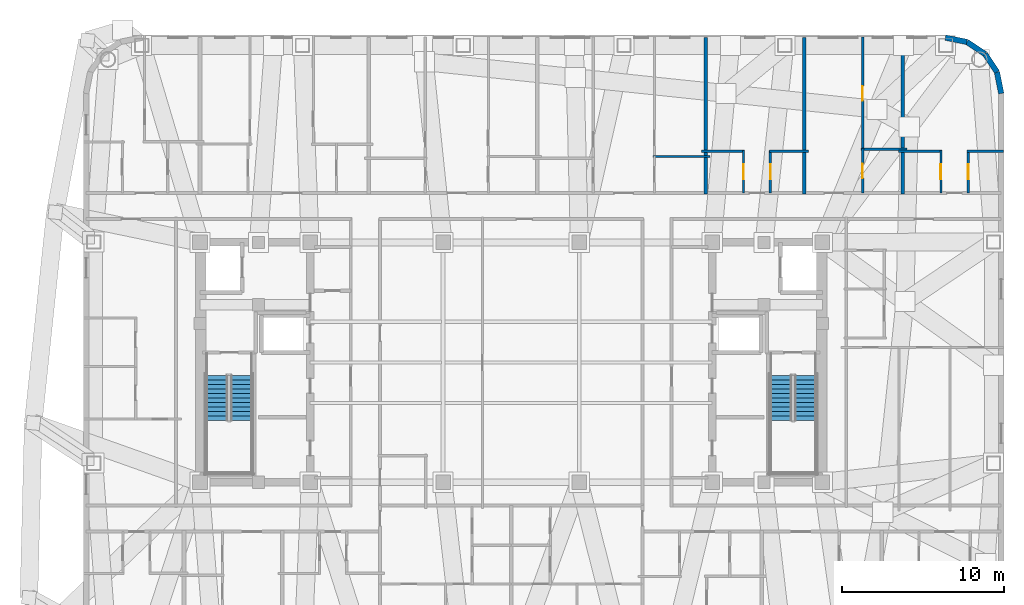
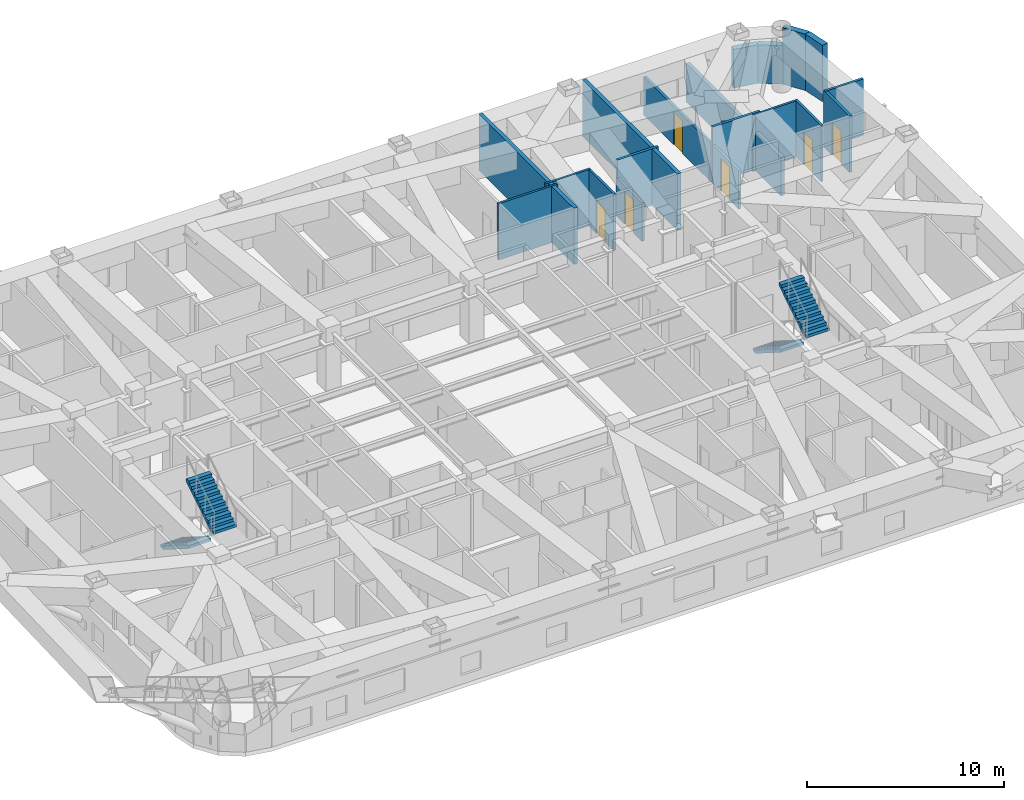
# One storey, part 10 of 12: 19 walls, 6 doors, 4 stair flights, 6 openings, 2 elements without a shape of their own.
"""IFC4 building model written with IfcOpenShell, lengths in metres."""

from ifc_helpers import new_model, si_unit, direction, frame, frame_2d, origin, place, context, subcontext, project, spatial, polyline, rectangle, outline, extrude, material, layer, layer_set, type_object, element, fill, aggregate, save


model = new_model("IFC4")

# Units and contexts
model_context = context("Model", 3, precision=1e-05, world=origin(), true_north=direction((0.0, 1.0)))
body_context = subcontext(model_context, "Body", "Model", "MODEL_VIEW")
ifc_project = project(units=[si_unit("LENGTHUNIT", "METRE"), si_unit("AREAUNIT", "SQUARE_METRE"), si_unit("VOLUMEUNIT", "CUBIC_METRE"), si_unit("PLANEANGLEUNIT", "RADIAN"), si_unit("MASSUNIT", "GRAM", prefix="KILO")], contexts=[model_context])

# Site, building, storey
site_placement = place(None, origin())
site = spatial("IfcSite", under=ifc_project, at=site_placement, CompositionType="ELEMENT")
building_placement = place(site_placement, origin())
building = spatial("IfcBuilding", under=site, at=building_placement, Name="Voryun Gate Residences", CompositionType="ELEMENT")
storey_placement = place(building_placement, frame((0.0, 0.0, 250.89990234375)))
storey = spatial("IfcBuildingStorey", under=building, at=storey_placement, Name="L62", CompositionType="ELEMENT", Elevation=250.89990234375)

# Walls
ifc_material_1 = material(Name="Charcoal terracotta masonry", Category="masonry")
ifc_layer_1 = layer(ifc_material_1, 0.340087890625, Name="W_EXT_TERRACOTTA_340")
ifc_layer_set_1 = layer_set([ifc_layer_1], Name="Charcoal terracotta masonry")
wall_type_1 = type_object("IfcWallType", Name="W_EXT_TERRACOTTA_340", PredefinedType="ELEMENTEDWALL", material=ifc_layer_set_1)
wall_1_placement = place(storey_placement, frame((26.783203125, 20.030029296875, 0.0), z_axis=(0.0, 0.0, 1.0), x_axis=(0.980788153188, -0.195075878998, 0.0)))
element("IfcWall", 1, at=wall_1_placement, inside=storey, type_object=wall_type_1, Name="Exterior wall WEXT-L62-12", PredefinedType="ELEMENTEDWALL", context=body_context, shape_type="SweptSolid", body=[
    extrude(rectangle(XDim=1.354248046875, YDim=0.340087890625, at=frame_2d((0.67724609375, 0.0))), origin(), (0.0, 0.0, 1.0), 2.39013671875),
])
wall_2_placement = place(storey_placement, frame((28.111328125, 19.765869140625, 0.0), z_axis=(0.0, 0.0, 1.0), x_axis=(0.831403586725, -0.555669034571, 0.0)))
element("IfcWall", 2, at=wall_2_placement, inside=storey, type_object=wall_type_1, Name="Exterior wall WEXT-L62-13", PredefinedType="ELEMENTEDWALL", context=body_context, shape_type="SweptSolid", body=[
    extrude(rectangle(XDim=1.3369140625, YDim=0.340087890625, at=frame_2d((0.66845703125, 0.0))), origin(), (0.0, 0.0, 1.0), 2.39013671875),
])
wall_3_placement = place(storey_placement, frame((29.222900390625, 19.02294921875, 0.0), z_axis=(0.0, 0.0, 1.0), x_axis=(0.555669034571, -0.831403586725, 0.0)))
element("IfcWall", 3, at=wall_3_placement, inside=storey, type_object=wall_type_1, Name="Exterior wall WEXT-L62-14", PredefinedType="ELEMENTEDWALL", context=body_context, shape_type="SweptSolid", body=[
    extrude(rectangle(XDim=1.3369140625, YDim=0.340087890625, at=frame_2d((0.66845703125, 0.0))), origin(), (0.0, 0.0, 1.0), 3.5),
])
wall_4_placement = place(storey_placement, frame((29.9658203125, 17.911376953125, 0.0), z_axis=(0.0, 0.0, 1.0), x_axis=(0.195075878998, -0.980788153188, 0.0)))
element("IfcWall", 4, at=wall_4_placement, inside=storey, type_object=wall_type_1, Name="Exterior wall WEXT-L62-15", PredefinedType="ELEMENTEDWALL", context=body_context, shape_type="SweptSolid", body=[
    extrude(rectangle(XDim=1.354248046875, YDim=0.340087890625, at=frame_2d((0.67724609375, 0.0))), origin(), (0.0, 0.0, 1.0), 3.5),
])
ifc_material_2 = material(Name="Concrete C40/50", Category="concrete")
ifc_layer_2 = layer(ifc_material_2, 0.219970703125, Name="W_PARTY_ACOUSTIC_220")
ifc_layer_set_2 = layer_set([ifc_layer_2], Name="Concrete C40/50")
wall_type_2 = type_object("IfcWallType", Name="W_PARTY_ACOUSTIC_220", PredefinedType="PARTITIONING", material=ifc_layer_set_2)
for number, where, z_axis, x_axis, name in (
    (5, (12.0, 10.3701171875, 0.0), (0.0, 0.0, 1.0), (0.0, 1.0, 0.0), "Partition wall WP-L62-NPTY-4"),
    (6, (18.0791015625, 10.3701171875, 0.0), (0.0, 0.0, 1.0), (0.0, 1.0, 0.0), "Partition wall WP-L62-NPTY-5"),
):
    element("IfcWall", number, at=place(storey_placement, frame(where, z_axis=z_axis, x_axis=x_axis)), inside=storey, type_object=wall_type_2, Name=name, PredefinedType="PARTITIONING", context=body_context, shape_type="SweptSolid", body=[
        extrude(rectangle(XDim=9.659912109375, YDim=0.219970703125, at=frame_2d((4.830078125, 0.0))), origin(), (0.0, 0.0, 1.0), 3.5),
    ])
wall_5_placement = place(storey_placement, frame((24.157958984375, 10.3701171875, 0.0), z_axis=(0.0, 0.0, 1.0), x_axis=(0.0, 1.0, 0.0)))
element("IfcWall", 7, at=wall_5_placement, inside=storey, type_object=wall_type_2, Name="Partition wall WP-L62-NPTY-6", PredefinedType="PARTITIONING", context=body_context, shape_type="SweptSolid", body=[
    extrude(rectangle(XDim=9.659912109375, YDim=0.219970703125, at=frame_2d((4.830078125, 0.0))), origin(), (0.0, 0.0, 1.0), 2.39013671875),
])
ifc_material_3 = material(Name="Gypsum acoustic partition")
ifc_layer_3 = layer(ifc_material_3, 0.125, Name="W_UNIT_PART_125")
ifc_layer_set_3 = layer_set([ifc_layer_3], Name="Gypsum acoustic partition")
wall_type_3 = type_object("IfcWallType", Name="W_UNIT_PART_125", PredefinedType="PARTITIONING", material=ifc_layer_set_3)
wall_6_placement = place(storey_placement, frame((8.760009765625, 12.68994140625, 0.0), z_axis=(0.0, 0.0, 1.0), x_axis=(1.0, 0.0, 0.0)))
element("IfcWall", 8, at=wall_6_placement, inside=storey, type_object=wall_type_3, Name="Partition wall WP-L62-N4-RHY", PredefinedType="PARTITIONING", context=body_context, shape_type="SweptSolid", body=[
    extrude(rectangle(XDim=3.5, YDim=0.125, at=frame_2d((1.75, 0.0))), origin(), (0.0, 0.0, 1.0), 3.5),
])

# Wall, opening, door
wall_7_placement = place(storey_placement, frame((14.323974609375, 10.429931640625, 0.0), z_axis=(0.0, 0.0, 1.0), x_axis=(0.0, 1.0, 0.0)))
wall_7 = element("IfcWall", 9, at=wall_7_placement, inside=storey, type_object=wall_type_3, Name="Partition wall WP-L62-N5-CVK", PredefinedType="PARTITIONING", context=body_context, shape_type="SweptSolid", body=[
    extrude(rectangle(XDim=2.650146484375, YDim=0.125, at=frame_2d((1.3251953125, 0.0))), origin(), (0.0, 0.0, 1.0), 3.5),
])
opening_1_placement = place(wall_7_placement, frame((0.875, 0.0, 0.0)))
opening_1 = element("IfcOpeningElement", 10, at=opening_1_placement, cuts=wall_7, Name="Opening D-INT-2", PredefinedType="OPENING", context=body_context, shape_type="SweptSolid", body=[
    extrude(rectangle(XDim=0.89990234375, YDim=2.050048828125, at=frame_2d((0.449951171875, 1.02490234375))), frame((0.0, 0.072509765625, 0.0), z_axis=(0.0, -1.0, 0.0), x_axis=(1.0, 0.0, 0.0)), (0.0, 0.0, 1.0), 0.14501953125),
])
ifc_material_4 = material(Name="Architectural oak veneer")
door_type = type_object("IfcDoorType", Name="DR_INT_BATH_900", OperationType="NOTDEFINED", PredefinedType="DOOR", material=ifc_material_4)
door_1_placement = place(opening_1_placement, origin())
door_1 = element("IfcDoor", 11, at=door_1_placement, inside=storey, type_object=door_type, Name="Door DR-L62-N5-DK", OperationType="SINGLE_SWING_LEFT", OverallHeight=2.050048828125, OverallWidth=0.89990234375, PredefinedType="DOOR", context=body_context, shape_type="SweptSolid", body=[
    extrude(rectangle(XDim=0.89990234375, YDim=2.050048828125, at=frame_2d((0.449951171875, 1.02490234375))), frame((0.0, 0.02490234375, 0.0), z_axis=(0.0, -1.0, 0.0), x_axis=(1.0, 0.0, 0.0)), (0.0, 0.0, 1.0), 0.050048828125),
])
fill(opening_1, door_1)

# Wall
wall_8_placement = place(storey_placement, frame((11.739990234375, 13.02001953125, 0.0), z_axis=(0.0, 0.0, 1.0), x_axis=(1.0, 0.0, 0.0)))
element("IfcWall", 12, at=wall_8_placement, inside=storey, type_object=wall_type_3, Name="Partition wall WP-L62-N5-CHK", PredefinedType="PARTITIONING", context=body_context, shape_type="SweptSolid", body=[
    extrude(rectangle(XDim=2.64404296875, YDim=0.125, at=frame_2d((1.322021484375, 0.0))), origin(), (0.0, 0.0, 1.0), 3.5),
])

# Wall, opening, door
wall_9_placement = place(storey_placement, frame((26.5048828125, 10.429931640625, 0.0), z_axis=(0.0, 0.0, 1.0), x_axis=(0.0, 1.0, 0.0)))
wall_9 = element("IfcWall", 13, at=wall_9_placement, inside=storey, type_object=wall_type_3, Name="Partition wall WP-L62-N7-CVK", PredefinedType="PARTITIONING", context=body_context, shape_type="SweptSolid", body=[
    extrude(rectangle(XDim=2.650146484375, YDim=0.125, at=frame_2d((1.3251953125, 0.0))), origin(), (0.0, 0.0, 1.0), 3.5),
])
opening_2_placement = place(wall_9_placement, frame((0.875, 0.0, 0.0)))
opening_2 = element("IfcOpeningElement", 14, at=opening_2_placement, cuts=wall_9, Name="Opening D-INT-2", PredefinedType="OPENING", context=body_context, shape_type="SweptSolid", body=[
    extrude(rectangle(XDim=0.89990234375, YDim=2.050048828125, at=frame_2d((0.449951171875, 1.02490234375))), frame((0.0, 0.072509765625, 0.0), z_axis=(0.0, -1.0, 0.0), x_axis=(1.0, 0.0, 0.0)), (0.0, 0.0, 1.0), 0.14501953125),
])
door_2_placement = place(opening_2_placement, origin())
door_2 = element("IfcDoor", 15, at=door_2_placement, inside=storey, type_object=door_type, Name="Door DR-L62-N7-DK", OperationType="SINGLE_SWING_LEFT", OverallHeight=2.050048828125, OverallWidth=0.89990234375, PredefinedType="DOOR", context=body_context, shape_type="SweptSolid", body=[
    extrude(rectangle(XDim=0.89990234375, YDim=2.050048828125, at=frame_2d((0.449951171875, 1.02490234375))), frame((0.0, 0.02490234375, 0.0), z_axis=(0.0, -1.0, 0.0), x_axis=(1.0, 0.0, 0.0)), (0.0, 0.0, 1.0), 0.050048828125),
])
fill(opening_2, door_2)

# Wall
wall_10_placement = place(storey_placement, frame((23.89794921875, 13.02001953125, 0.0), z_axis=(0.0, 0.0, 1.0), x_axis=(1.0, 0.0, 0.0)))
element("IfcWall", 16, at=wall_10_placement, inside=storey, type_object=wall_type_3, Name="Partition wall WP-L62-N7-CHK", PredefinedType="PARTITIONING", context=body_context, shape_type="SweptSolid", body=[
    extrude(rectangle(XDim=2.6669921875, YDim=0.125, at=frame_2d((1.33349609375, 0.0))), origin(), (0.0, 0.0, 1.0), 3.5),
])

# Wall, opening, door
ifc_material_5 = material(Name="Gypsum moisture-resistant partition")
ifc_layer_4 = layer(ifc_material_5, 0.14990234375, Name="W_WET_PLUMB_150")
ifc_layer_set_4 = layer_set([ifc_layer_4], Name="Gypsum moisture-resistant partition")
wall_type_4 = type_object("IfcWallType", Name="W_WET_PLUMB_150", PredefinedType="PLUMBINGWALL", material=ifc_layer_set_4)
wall_11_placement = place(storey_placement, frame((15.992919921875, 10.429931640625, 0.0), z_axis=(0.0, 0.0, 1.0), x_axis=(0.0, 1.0, 0.0)))
wall_11 = element("IfcWall", 17, at=wall_11_placement, inside=storey, type_object=wall_type_4, Name="Partition wall WP-L62-N5-CVB", PredefinedType="PLUMBINGWALL", context=body_context, shape_type="SweptSolid", body=[
    extrude(rectangle(XDim=2.650146484375, YDim=0.14990234375, at=frame_2d((1.3251953125, 0.0))), origin(), (0.0, 0.0, 1.0), 2.39013671875),
])
opening_3_placement = place(wall_11_placement, frame((0.875, 0.0, 0.0)))
opening_3 = element("IfcOpeningElement", 18, at=opening_3_placement, cuts=wall_11, Name="Opening D-INT-2", PredefinedType="OPENING", context=body_context, shape_type="SweptSolid", body=[
    extrude(rectangle(XDim=0.89990234375, YDim=2.050048828125, at=frame_2d((0.449951171875, 1.02490234375))), frame((0.0, 0.0849609375, 0.0), z_axis=(0.0, -1.0, 0.0), x_axis=(1.0, 0.0, 0.0)), (0.0, 0.0, 1.0), 0.169921875),
])
door_3_placement = place(opening_3_placement, origin())
door_3 = element("IfcDoor", 19, at=door_3_placement, inside=storey, type_object=door_type, Name="Door DR-L62-N5-DB", OperationType="SINGLE_SWING_RIGHT", OverallHeight=2.050048828125, OverallWidth=0.89990234375, PredefinedType="DOOR", context=body_context, shape_type="SweptSolid", body=[
    extrude(rectangle(XDim=0.89990234375, YDim=2.050048828125, at=frame_2d((0.449951171875, 1.02490234375))), frame((0.0, 0.02490234375, 0.0), z_axis=(0.0, -1.0, 0.0), x_axis=(1.0, 0.0, 0.0)), (0.0, 0.0, 1.0), 0.050048828125),
])
fill(opening_3, door_3)

# Walls
wall_12_placement = place(storey_placement, frame((15.93310546875, 13.02001953125, 0.0), z_axis=(0.0, 0.0, 1.0), x_axis=(1.0, 0.0, 0.0)))
element("IfcWall", 20, at=wall_12_placement, inside=storey, type_object=wall_type_4, Name="Partition wall WP-L62-N5-CHB", PredefinedType="PLUMBINGWALL", context=body_context, shape_type="SweptSolid", body=[
    extrude(rectangle(XDim=2.406005859375, YDim=0.14990234375, at=frame_2d((1.203125, 0.0))), origin(), (0.0, 0.0, 1.0), 3.5),
])
wall_13_placement = place(storey_placement, frame((21.593017578125, 13.14990234375, 0.0), z_axis=(0.0, 0.0, 1.0), x_axis=(1.0, 0.0, 0.0)))
element("IfcWall", 21, at=wall_13_placement, inside=storey, type_object=wall_type_4, Name="Partition wall WP-L62-N6-SKB", PredefinedType="PLUMBINGWALL", context=body_context, shape_type="SweptSolid", body=[
    extrude(rectangle(XDim=2.824951171875, YDim=0.14990234375, at=frame_2d((1.41259765625, 0.0))), origin(), (0.0, 0.0, 1.0), 3.5),
])

# Wall, opening, door
wall_14_placement = place(storey_placement, frame((21.673095703125, 10.429931640625, 0.0), z_axis=(0.0, 0.0, 1.0), x_axis=(0.0, 1.0, 0.0)))
wall_14 = element("IfcWall", 22, at=wall_14_placement, inside=storey, type_object=wall_type_4, Name="Partition wall WP-L62-N6-SVT1", PredefinedType="PLUMBINGWALL", context=body_context, shape_type="SweptSolid", body=[
    extrude(rectangle(XDim=2.760009765625, YDim=0.14990234375, at=frame_2d((1.3798828125, 0.0))), origin(), (0.0, 0.0, 1.0), 2.39013671875),
])
opening_4_placement = place(wall_14_placement, frame((0.929931640625, 0.0, 0.0)))
opening_4 = element("IfcOpeningElement", 23, at=opening_4_placement, cuts=wall_14, Name="Opening D-INT-2", PredefinedType="OPENING", context=body_context, shape_type="SweptSolid", body=[
    extrude(rectangle(XDim=0.89990234375, YDim=2.050048828125, at=frame_2d((0.449951171875, 1.02490234375))), frame((0.0, 0.0849609375, 0.0), z_axis=(0.0, -1.0, 0.0), x_axis=(1.0, 0.0, 0.0)), (0.0, 0.0, 1.0), 0.169921875),
])
door_4_placement = place(opening_4_placement, origin())
door_4 = element("IfcDoor", 24, at=door_4_placement, inside=storey, type_object=door_type, Name="Door DR-L62-N6-DB", OperationType="SINGLE_SWING_LEFT", OverallHeight=2.050048828125, OverallWidth=0.89990234375, PredefinedType="DOOR", context=body_context, shape_type="SweptSolid", body=[
    extrude(rectangle(XDim=0.89990234375, YDim=2.050048828125, at=frame_2d((0.449951171875, 1.02490234375))), frame((0.0, 0.02490234375, 0.0), z_axis=(0.0, -1.0, 0.0), x_axis=(1.0, 0.0, 0.0)), (0.0, 0.0, 1.0), 0.050048828125),
])
fill(opening_4, door_4)

wall_15_placement = place(storey_placement, frame((21.673095703125, 13.110107421875, 0.0), z_axis=(0.0, 0.0, 1.0), x_axis=(0.0, 1.0, 0.0)))
wall_15 = element("IfcWall", 25, at=wall_15_placement, inside=storey, type_object=wall_type_4, Name="Partition wall WP-L62-N6-SVT2", PredefinedType="PLUMBINGWALL", context=body_context, shape_type="SweptSolid", body=[
    extrude(rectangle(XDim=6.966796875, YDim=0.14990234375, at=frame_2d((3.4833984375, 0.0))), origin(), (0.0, 0.0, 1.0), 2.39013671875),
])
opening_5_placement = place(wall_15_placement, frame((3.033447265625, 0.0, 0.0)))
opening_5 = element("IfcOpeningElement", 26, at=opening_5_placement, cuts=wall_15, Name="Opening D-INT-2", PredefinedType="OPENING", context=body_context, shape_type="SweptSolid", body=[
    extrude(rectangle(XDim=0.89990234375, YDim=2.050048828125, at=frame_2d((0.449951171875, 1.02490234375))), frame((0.0, 0.0849609375, 0.0), z_axis=(0.0, -1.0, 0.0), x_axis=(1.0, 0.0, 0.0)), (0.0, 0.0, 1.0), 0.169921875),
])
door_5_placement = place(opening_5_placement, origin())
door_5 = element("IfcDoor", 27, at=door_5_placement, inside=storey, type_object=door_type, Name="Door DR-L62-N6-DK", OperationType="SINGLE_SWING_RIGHT", OverallHeight=2.050048828125, OverallWidth=0.89990234375, PredefinedType="DOOR", context=body_context, shape_type="SweptSolid", body=[
    extrude(rectangle(XDim=0.89990234375, YDim=2.050048828125, at=frame_2d((0.449951171875, 1.02490234375))), frame((0.0, 0.02490234375, 0.0), z_axis=(0.0, -1.0, 0.0), x_axis=(1.0, 0.0, 0.0)), (0.0, 0.0, 1.0), 0.050048828125),
])
fill(opening_5, door_5)

wall_16_placement = place(storey_placement, frame((28.18994140625, 10.429931640625, 0.0), z_axis=(0.0, 0.0, 1.0), x_axis=(0.0, 1.0, 0.0)))
wall_16 = element("IfcWall", 28, at=wall_16_placement, inside=storey, type_object=wall_type_4, Name="Partition wall WP-L62-N7-CVB", PredefinedType="PLUMBINGWALL", context=body_context, shape_type="SweptSolid", body=[
    extrude(rectangle(XDim=2.650146484375, YDim=0.14990234375, at=frame_2d((1.3251953125, 0.0))), origin(), (0.0, 0.0, 1.0), 3.5),
])
opening_6_placement = place(wall_16_placement, frame((0.875, 0.0, 0.0)))
opening_6 = element("IfcOpeningElement", 29, at=opening_6_placement, cuts=wall_16, Name="Opening D-INT-2", PredefinedType="OPENING", context=body_context, shape_type="SweptSolid", body=[
    extrude(rectangle(XDim=0.89990234375, YDim=2.050048828125, at=frame_2d((0.449951171875, 1.02490234375))), frame((0.0, 0.0849609375, 0.0), z_axis=(0.0, -1.0, 0.0), x_axis=(1.0, 0.0, 0.0)), (0.0, 0.0, 1.0), 0.169921875),
])
door_6_placement = place(opening_6_placement, origin())
door_6 = element("IfcDoor", 30, at=door_6_placement, inside=storey, type_object=door_type, Name="Door DR-L62-N7-DB", OperationType="SINGLE_SWING_RIGHT", OverallHeight=2.050048828125, OverallWidth=0.89990234375, PredefinedType="DOOR", context=body_context, shape_type="SweptSolid", body=[
    extrude(rectangle(XDim=0.89990234375, YDim=2.050048828125, at=frame_2d((0.449951171875, 1.02490234375))), frame((0.0, 0.02490234375, 0.0), z_axis=(0.0, -1.0, 0.0), x_axis=(1.0, 0.0, 0.0)), (0.0, 0.0, 1.0), 0.050048828125),
])
fill(opening_6, door_6)

# Wall
wall_17_placement = place(storey_placement, frame((28.1298828125, 13.02001953125, 0.0), z_axis=(0.0, 0.0, 1.0), x_axis=(1.0, 0.0, 0.0)))
element("IfcWall", 31, at=wall_17_placement, inside=storey, type_object=wall_type_4, Name="Partition wall WP-L62-N7-CHB", PredefinedType="PLUMBINGWALL", context=body_context, shape_type="SweptSolid", body=[
    extrude(rectangle(XDim=2.25, YDim=0.14990234375, at=frame_2d((1.125, 0.0))), origin(), (0.0, 0.0, 1.0), 3.5),
])

# Stair, stair flights
ifc_material_6 = material(Name="Concrete C40/50", Category="concrete")
stair_type = type_object("IfcStairType", Name="STR_CORE_DOGLEG_1350", PredefinedType="HALF_TURN_STAIR", material=ifc_material_6)
stair_1_placement = place(storey_placement, origin())
stair_1 = element("IfcStair", 32, at=stair_1_placement, inside=storey, type_object=stair_type, Name="L62 Special Escape Stair ST-W1", PredefinedType="HALF_TURN_STAIR")
ifc_material_7 = material(Name="Concrete C40/50", Category="concrete")
stair_flight_type = type_object("IfcStairFlightType", Name="FLT_CORE_1350", PredefinedType="STRAIGHT", material=ifc_material_7)
stair_flight_1_placement = place(storey_placement, frame((-18.14990234375, -0.800048828125, 0.0), z_axis=(0.0, 0.0, 1.0), x_axis=(0.0, -1.0, 0.0)))
stair_flight_1 = element("IfcStairFlight", 33, at=stair_flight_1_placement, type_object=stair_flight_type, Name="ST-W1 flight 1", NumberOfRisers=11, NumberOfTreads=10, PredefinedType="STRAIGHT", RiserHeight=0.177272727, TreadLength=0.28, context=body_context, shape_type="SweptSolid", body=[
    extrude(outline(polyline([(0.0, 0.0), (0.0, 0.17724609375), (0.280029296875, 0.17724609375), (0.280029296875, 0.3544921875), (0.56005859375, 0.3544921875), (0.56005859375, 0.53173828125), (0.840087890625, 0.53173828125), (0.840087890625, 0.708984375), (1.1201171875, 0.708984375), (1.1201171875, 0.886474609375), (1.39990234375, 0.886474609375), (1.39990234375, 1.063720703125), (1.679931640625, 1.063720703125), (1.679931640625, 1.240966796875), (1.9599609375, 1.240966796875), (1.9599609375, 1.418212890625), (2.239990234375, 1.418212890625), (2.239990234375, 1.595458984375), (2.52001953125, 1.595458984375), (2.52001953125, 1.772705078125), (2.800048828125, 1.772705078125), (2.800048828125, 1.949951171875), (2.800048828125, 1.59521484375), (0.2802734375, 0.0), (0.0, 0.0)])), frame((0.0, 0.675048828125, 0.0), z_axis=(0.0, -1.0, 0.0), x_axis=(1.0, 0.0, 0.0)), (0.0, 0.0, 1.0), 1.35009765625),
])
stair_flight_2_placement = place(storey_placement, frame((-16.64990234375, -3.60009765625, 1.9501953125), z_axis=(0.0, 0.0, 1.0), x_axis=(0.0, 1.0, 0.0)))
stair_flight_2 = element("IfcStairFlight", 34, at=stair_flight_2_placement, type_object=stair_flight_type, Name="ST-W1 flight 2", NumberOfRisers=11, NumberOfTreads=10, PredefinedType="STRAIGHT", RiserHeight=0.177272727, TreadLength=0.28, context=body_context, shape_type="SweptSolid", body=[
    extrude(outline(polyline([(0.0, 0.0), (0.0, 0.17724609375), (0.280029296875, 0.17724609375), (0.280029296875, 0.3544921875), (0.56005859375, 0.3544921875), (0.56005859375, 0.53173828125), (0.840087890625, 0.53173828125), (0.840087890625, 0.708984375), (1.1201171875, 0.708984375), (1.1201171875, 0.886474609375), (1.39990234375, 0.886474609375), (1.39990234375, 1.063720703125), (1.679931640625, 1.063720703125), (1.679931640625, 1.240966796875), (1.9599609375, 1.240966796875), (1.9599609375, 1.418212890625), (2.239990234375, 1.418212890625), (2.239990234375, 1.595458984375), (2.52001953125, 1.595458984375), (2.52001953125, 1.772705078125), (2.800048828125, 1.772705078125), (2.800048828125, 1.949951171875), (2.800048828125, 1.59521484375), (0.2802734375, 0.0), (0.0, 0.0)])), frame((0.0, 0.675048828125, 0.0), z_axis=(0.0, -1.0, 0.0), x_axis=(1.0, 0.0, 0.0)), (0.0, 0.0, 1.0), 1.35009765625),
])
aggregate(stair_1, [stair_flight_1, stair_flight_2])

stair_2_placement = place(storey_placement, origin())
stair_2 = element("IfcStair", 35, at=stair_2_placement, inside=storey, type_object=stair_type, Name="L62 Special Escape Stair ST-E1", PredefinedType="HALF_TURN_STAIR")
stair_flight_3_placement = place(storey_placement, frame((16.64990234375, -0.800048828125, 0.0), z_axis=(0.0, 0.0, 1.0), x_axis=(0.0, -1.0, 0.0)))
stair_flight_3 = element("IfcStairFlight", 36, at=stair_flight_3_placement, type_object=stair_flight_type, Name="ST-E1 flight 1", NumberOfRisers=11, NumberOfTreads=10, PredefinedType="STRAIGHT", RiserHeight=0.177272727, TreadLength=0.28, context=body_context, shape_type="SweptSolid", body=[
    extrude(outline(polyline([(0.0, 0.0), (0.0, 0.17724609375), (0.280029296875, 0.17724609375), (0.280029296875, 0.3544921875), (0.56005859375, 0.3544921875), (0.56005859375, 0.53173828125), (0.840087890625, 0.53173828125), (0.840087890625, 0.708984375), (1.1201171875, 0.708984375), (1.1201171875, 0.886474609375), (1.39990234375, 0.886474609375), (1.39990234375, 1.063720703125), (1.679931640625, 1.063720703125), (1.679931640625, 1.240966796875), (1.9599609375, 1.240966796875), (1.9599609375, 1.418212890625), (2.239990234375, 1.418212890625), (2.239990234375, 1.595458984375), (2.52001953125, 1.595458984375), (2.52001953125, 1.772705078125), (2.800048828125, 1.772705078125), (2.800048828125, 1.949951171875), (2.800048828125, 1.59521484375), (0.2802734375, 0.0), (0.0, 0.0)])), frame((0.0, 0.675048828125, 0.0), z_axis=(0.0, -1.0, 0.0), x_axis=(1.0, 0.0, 0.0)), (0.0, 0.0, 1.0), 1.35009765625),
])
stair_flight_4_placement = place(storey_placement, frame((18.14990234375, -3.60009765625, 1.9501953125), z_axis=(0.0, 0.0, 1.0), x_axis=(0.0, 1.0, 0.0)))
stair_flight_4 = element("IfcStairFlight", 37, at=stair_flight_4_placement, type_object=stair_flight_type, Name="ST-E1 flight 2", NumberOfRisers=11, NumberOfTreads=10, PredefinedType="STRAIGHT", RiserHeight=0.177272727, TreadLength=0.28, context=body_context, shape_type="SweptSolid", body=[
    extrude(outline(polyline([(0.0, 0.0), (0.0, 0.17724609375), (0.280029296875, 0.17724609375), (0.280029296875, 0.3544921875), (0.56005859375, 0.3544921875), (0.56005859375, 0.53173828125), (0.840087890625, 0.53173828125), (0.840087890625, 0.708984375), (1.1201171875, 0.708984375), (1.1201171875, 0.886474609375), (1.39990234375, 0.886474609375), (1.39990234375, 1.063720703125), (1.679931640625, 1.063720703125), (1.679931640625, 1.240966796875), (1.9599609375, 1.240966796875), (1.9599609375, 1.418212890625), (2.239990234375, 1.418212890625), (2.239990234375, 1.595458984375), (2.52001953125, 1.595458984375), (2.52001953125, 1.772705078125), (2.800048828125, 1.772705078125), (2.800048828125, 1.949951171875), (2.800048828125, 1.59521484375), (0.2802734375, 0.0), (0.0, 0.0)])), frame((0.0, 0.675048828125, 0.0), z_axis=(0.0, -1.0, 0.0), x_axis=(1.0, 0.0, 0.0)), (0.0, 0.0, 1.0), 1.35009765625),
])
aggregate(stair_2, [stair_flight_3, stair_flight_4])

save(model, "model.ifc")
